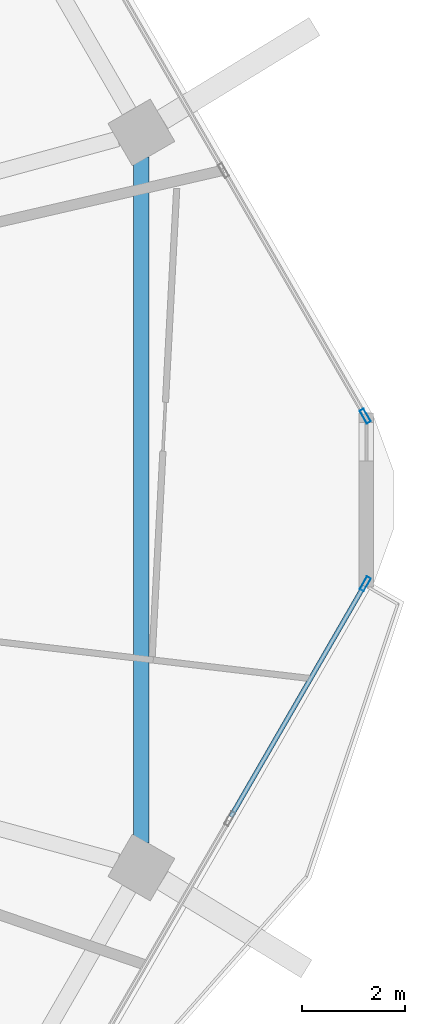
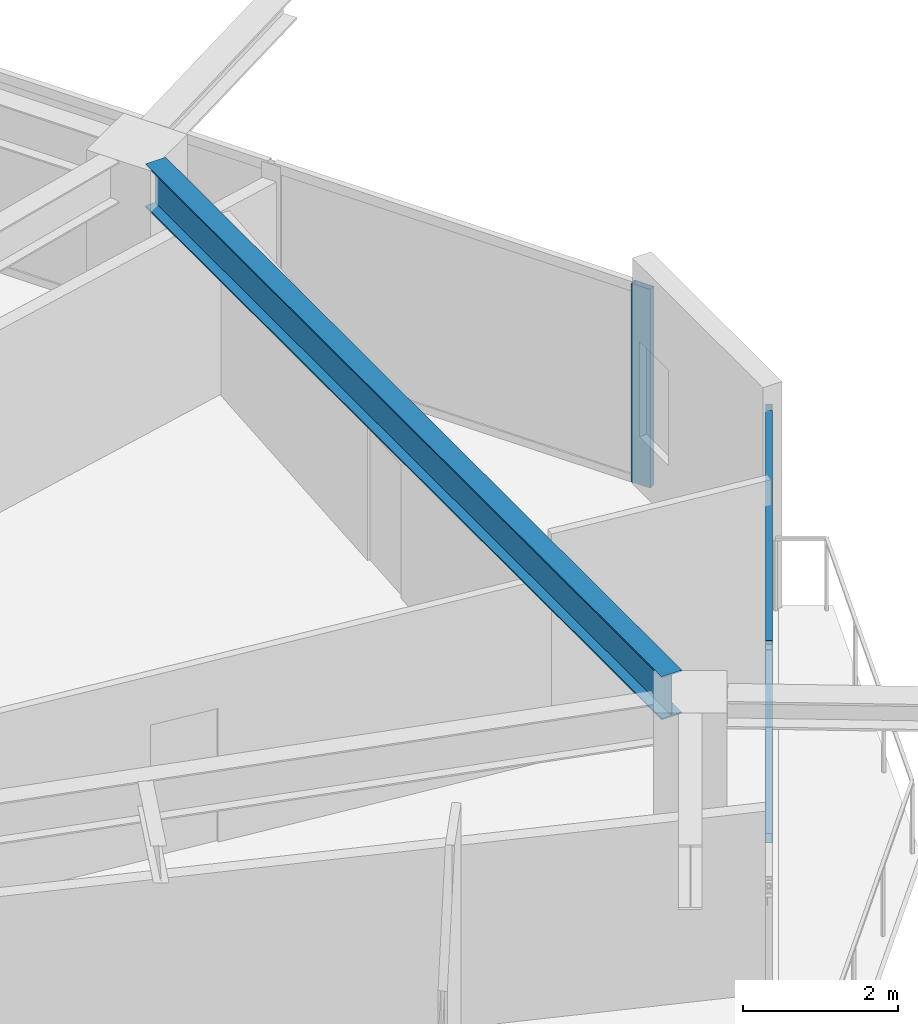
# One storey, part 9 of 26: 4 members, 1 beam, 2 elements without a shape of their own.
"""IFC4 building model written with IfcOpenShell, lengths in metres."""

from ifc_helpers import new_model, si_unit, direction, frame, origin, origin_2d, place, context, subcontext, project, spatial, hollow_rectangle, i_section, extrude, material, material_profile, profile_set, type_object, element, aggregate, save


model = new_model("IFC4")

# Units and contexts
model_context = context("Model", 3, precision=1e-05, world=origin(), true_north=direction((0.0, 1.0)))
body_context = subcontext(model_context, "Body", "Model", "MODEL_VIEW")
ifc_project = project(units=[si_unit("LENGTHUNIT", "METRE"), si_unit("AREAUNIT", "SQUARE_METRE"), si_unit("VOLUMEUNIT", "CUBIC_METRE"), si_unit("PLANEANGLEUNIT", "RADIAN"), si_unit("MASSUNIT", "GRAM", prefix="KILO")], contexts=[model_context])

# Site, building, storey
site_placement = place(None, origin())
site = spatial("IfcSite", under=ifc_project, at=site_placement, CompositionType="ELEMENT")
building_placement = place(site_placement, origin())
building = spatial("IfcBuilding", under=site, at=building_placement, Name="Zuhravey Tower", CompositionType="ELEMENT")
storey_placement = place(building_placement, frame((0.0, 0.0, 211.199951171875)))
storey = spatial("IfcBuildingStorey", under=building, at=storey_placement, Name="L53", CompositionType="ELEMENT", Elevation=211.199951171875)

# Curtain wall, member
ifc_material_1 = material(Name="Thermally broken anodised aluminium", Category="aluminium")
curtain_wall_type = type_object("IfcCurtainWallType", Name="Zone 1-2 Residential Curtain Wall CW3", PredefinedType="NOTDEFINED", material=ifc_material_1)
curtain_wall_1_placement = place(storey_placement, origin())
curtain_wall_1 = element("IfcCurtainWall", 1, at=curtain_wall_1_placement, inside=storey, type_object=curtain_wall_type, Name="L53 CW3 CW-L53-F6-1", PredefinedType="NOTDEFINED")
ifc_material_2 = material(Name="Anodised aluminium", Category="aluminium")
ifc_material_profile_1 = material_profile(ifc_material_2, hollow_rectangle(XDim=0.090087890625, YDim=0.284912109375, WallThickness=0.0048828125, at=origin_2d()), Name="ALU-RHS-90x285x5")
ifc_profile_set_1 = profile_set([ifc_material_profile_1], Name="Anodised aluminium")
member_type_1 = type_object("IfcMemberType", Name="Curtain-Wall Mullion 90x180", PredefinedType="MULLION", material=ifc_profile_set_1)
member_1_placement = place(storey_placement, frame((66.44921875, 30.37353515625, 0.0), z_axis=(0.0, 0.0, 1.0), x_axis=(0.866024678652, -0.500001255965, 0.0)))
member_1 = element("IfcMember", 2, at=member_1_placement, type_object=member_type_1, Name="CW3 mullion 1", PredefinedType="MULLION", context=body_context, shape_type="SweptSolid", body=[
    extrude(hollow_rectangle(XDim=0.090087890625, YDim=0.284912109375, WallThickness=0.0048828125, at=origin_2d()), origin(), (0.0, 0.0, 1.0), 3.1220703125),
])

curtain_wall_2_placement = place(storey_placement, origin())
curtain_wall_2 = element("IfcCurtainWall", 3, at=curtain_wall_2_placement, inside=storey, type_object=curtain_wall_type, Name="L53 CW3 CW-L53-F1-1", PredefinedType="NOTDEFINED")
member_2_placement = place(storey_placement, frame((66.44921875, 33.62646484375, 0.0), z_axis=(0.0, 0.0, 1.0), x_axis=(0.866025138215, 0.500000459979, 0.0)))
member_2 = element("IfcMember", 4, at=member_2_placement, type_object=member_type_1, Name="CW3 mullion 6", PredefinedType="MULLION", context=body_context, shape_type="SweptSolid", body=[
    extrude(hollow_rectangle(XDim=0.090087890625, YDim=0.284912109375, WallThickness=0.0048828125, at=origin_2d()), origin(), (0.0, 0.0, 1.0), 3.1220703125),
])
aggregate(curtain_wall_2, [member_2])

# Member
ifc_material_profile_2 = material_profile(ifc_material_2, hollow_rectangle(XDim=0.090087890625, YDim=0.14990234375, WallThickness=0.0048828125, at=origin_2d()), Name="ALU-RHS-90x150x5")
ifc_profile_set_2 = profile_set([ifc_material_profile_2], Name="Anodised aluminium")
member_type_2 = type_object("IfcMemberType", Name="Curtain-Wall Transom 90x150", PredefinedType="USERDEFINED", material=ifc_profile_set_2)
member_3_placement = place(storey_placement, frame((66.4267578125, 30.33447265625, 0.045166015625), z_axis=(-0.500016975488, -0.86601560276, 0.0), x_axis=(0.86601560276, -0.500016975488, 0.0)))
member_3 = element("IfcMember", 5, at=member_3_placement, type_object=member_type_2, Name="CW3 transom 1.1", ObjectType="TRANSOM", PredefinedType="USERDEFINED", context=body_context, shape_type="SweptSolid", body=[
    extrude(hollow_rectangle(XDim=0.090087890625, YDim=0.14990234375, WallThickness=0.0048828125, at=origin_2d()), origin(), (0.0, 0.0, 1.0), 5.166259765625),
])

member_4_placement = place(storey_placement, frame((66.4267578125, 30.33447265625, 3.0771484375), z_axis=(-0.500016975488, -0.86601560276, 0.0), x_axis=(0.86601560276, -0.500016975488, 0.0)))
member_4 = element("IfcMember", 6, at=member_4_placement, type_object=member_type_2, Name="CW3 transom 1.2", ObjectType="TRANSOM", PredefinedType="USERDEFINED", context=body_context, shape_type="SweptSolid", body=[
    extrude(hollow_rectangle(XDim=0.090087890625, YDim=0.14990234375, WallThickness=0.0048828125, at=origin_2d()), origin(), (0.0, 0.0, 1.0), 5.166259765625),
])

aggregate(curtain_wall_1, [member_1, member_3, member_4])

# Beam
ifc_material_3 = material(Name="Steel SM355", Category="steel")
ifc_material_profile_3 = material_profile(ifc_material_3, i_section(OverallWidth=0.300048828125, OverallDepth=0.679931640625, WebThickness=0.012939453125, FlangeThickness=0.02197265625, at=origin_2d()), Name="H-680x300x13x22")
ifc_profile_set_3 = profile_set([ifc_material_profile_3], Name="Steel SM355")
beam_type = type_object("IfcBeamType", Name="Perimeter Ring Beam H680x300", PredefinedType="BEAM", material=ifc_profile_set_3)
beam_placement = place(storey_placement, frame((62.107666015625, 25.3515625, 3.2099609375), z_axis=(0.0, 1.0, 0.0), x_axis=(-1.0, 0.0, 0.0)))
element("IfcBeam", 7, at=beam_placement, inside=storey, type_object=beam_type, Name="L53 PB2 BM-L53-PB-12", PredefinedType="BEAM", context=body_context, shape_type="SweptSolid", body=[
    extrude(i_section(OverallWidth=0.300048828125, OverallDepth=0.679931640625, WebThickness=0.012939453125, FlangeThickness=0.02197265625, at=origin_2d()), origin(), (0.0, 0.0, 1.0), 13.296875),
])

save(model, "model.ifc")
